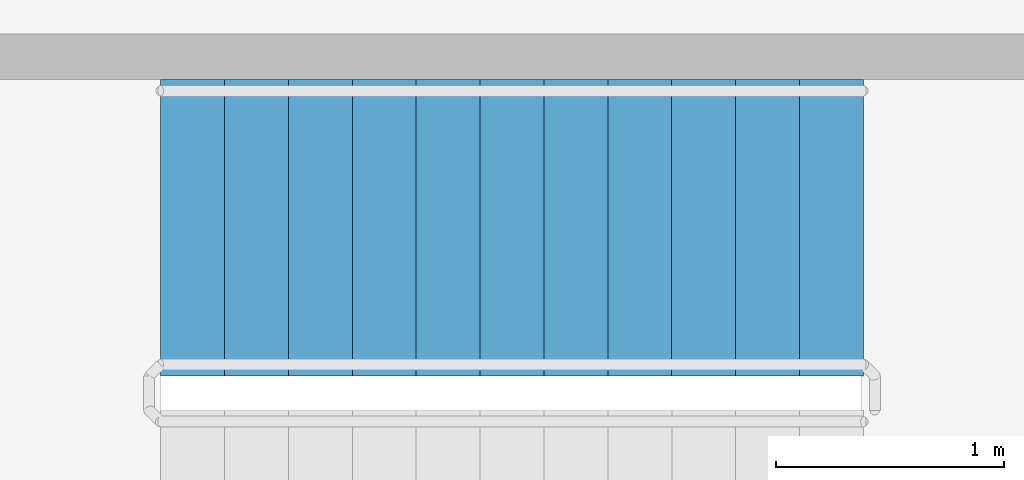
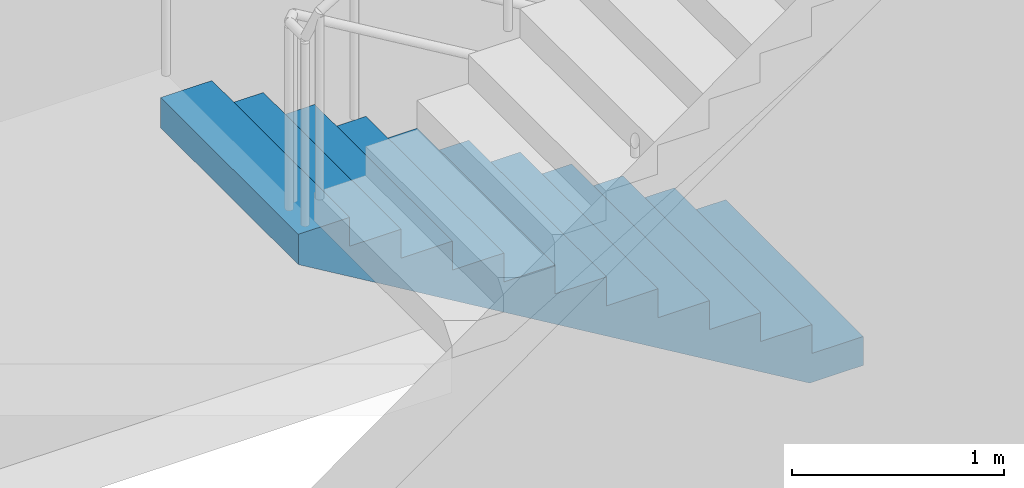
# One storey, part 13 of 15: 1 stair flight, 1 element without a shape of its own.
"""IFC4 building model written with IfcOpenShell, lengths in metres."""

from ifc_helpers import new_model, si_unit, direction, frame, origin, place, context, subcontext, project, spatial, polyline, outline, extrude, material, type_object, element, aggregate, save


model = new_model("IFC4")

# Units and contexts
model_context = context("Model", 3, precision=1e-05, world=origin(), true_north=direction((0.0, 1.0)))
body_context = subcontext(model_context, "Body", "Model", "MODEL_VIEW")
ifc_project = project(units=[si_unit("LENGTHUNIT", "METRE"), si_unit("AREAUNIT", "SQUARE_METRE"), si_unit("VOLUMEUNIT", "CUBIC_METRE"), si_unit("PLANEANGLEUNIT", "RADIAN"), si_unit("MASSUNIT", "GRAM", prefix="KILO")], contexts=[model_context])

# Site, building, storey
site_placement = place(None, origin())
site = spatial("IfcSite", under=ifc_project, at=site_placement, CompositionType="ELEMENT")
building_placement = place(site_placement, origin())
building = spatial("IfcBuilding", under=site, at=building_placement, Name="Corvane Civic Tower", CompositionType="ELEMENT")
storey_placement = place(building_placement, frame((0.0, 0.0, 65.0)))
storey = spatial("IfcBuildingStorey", under=building, at=storey_placement, Name="L14", CompositionType="ELEMENT", Elevation=65.0)

# Stair, stair flight
ifc_material_1 = material(Name="Concrete C40/50", Category="concrete")
stair_type = type_object("IfcStairType", Name="ST-STAIR-HALFTURN", PredefinedType="HALF_TURN_STAIR", material=ifc_material_1)
stair_placement = place(storey_placement, origin())
stair = element("IfcStair", 1, at=stair_placement, inside=storey, type_object=stair_type, Name="L14 Exit stair ST1", PredefinedType="HALF_TURN_STAIR")
ifc_material_2 = material(Name="Concrete C40/50", Category="concrete")
stair_flight_type = type_object("IfcStairFlightType", Name="ST-FLIGHT-RC", PredefinedType="STRAIGHT", material=ifc_material_2)
stair_flight_placement = place(storey_placement, frame((8.89990234375, 9.550048828125, 0.0), z_axis=(0.0, 0.0, 1.0), x_axis=(-1.0, 0.0, 0.0)))
stair_flight = element("IfcStairFlight", 2, at=stair_flight_placement, type_object=stair_flight_type, Name="ST1 flight 1", NumberOfRisers=12, NumberOfTreads=11, PredefinedType="STRAIGHT", RiserHeight=0.166666667, TreadLength=0.28, context=body_context, shape_type="SweptSolid", body=[
    extrude(outline(polyline([(0.0, 0.0), (0.0, 0.166748046875), (0.280029296875, 0.166748046875), (0.280029296875, 0.333251953125), (0.56005859375, 0.333251953125), (0.56005859375, 0.5), (0.840087890625, 0.5), (0.840087890625, 0.666748046875), (1.1201171875, 0.666748046875), (1.1201171875, 0.833251953125), (1.39990234375, 0.833251953125), (1.39990234375, 1.0), (1.679931640625, 1.0), (1.679931640625, 1.166748046875), (1.9599609375, 1.166748046875), (1.9599609375, 1.333251953125), (2.239990234375, 1.333251953125), (2.239990234375, 1.5), (2.52001953125, 1.5), (2.52001953125, 1.666748046875), (2.800048828125, 1.666748046875), (2.800048828125, 1.833251953125), (3.080078125, 1.833251953125), (3.080078125, 2.0), (3.080078125, 1.658935546875), (0.29296875, 0.0), (0.0, 0.0)])), frame((0.0, 0.64990234375, 0.0), z_axis=(0.0, -1.0, 0.0), x_axis=(1.0, 0.0, 0.0)), (0.0, 0.0, 1.0), 1.300048828125),
])
aggregate(stair, [stair_flight])

save(model, "model.ifc")
